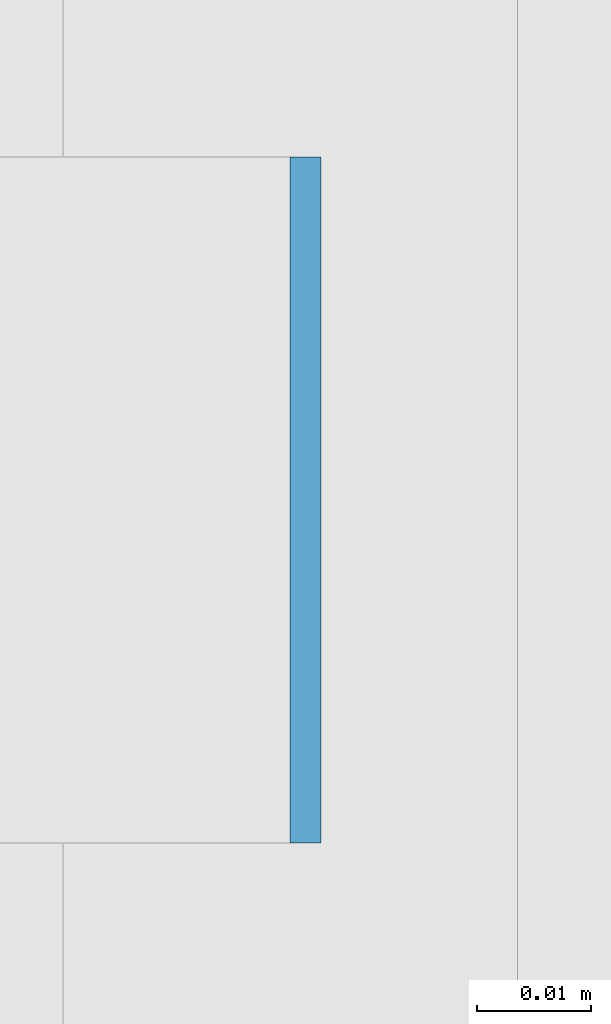
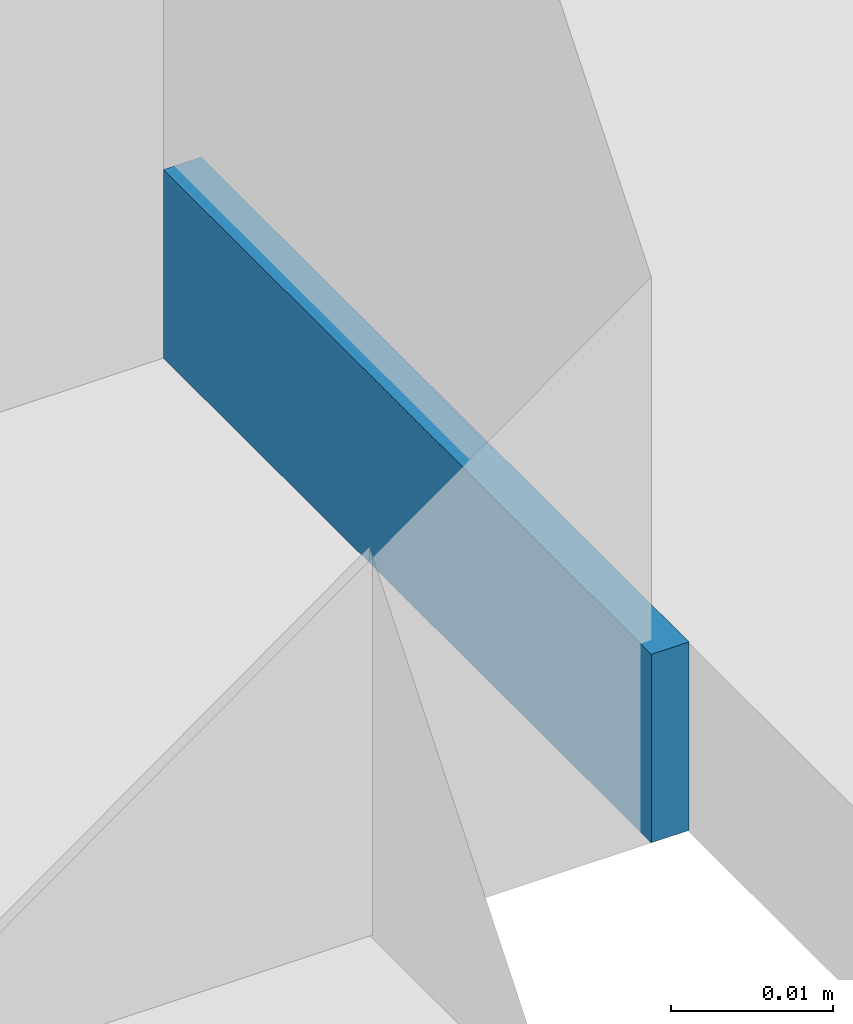
# One storey, part 264 of 646: 1 discrete accessory.
"""IFC4 building model written with IfcOpenShell, lengths in metres."""

import ifcopenshell
import ifcopenshell.guid

model = None  # the IFC model being written
_history = None  # IfcOwnerHistory: only IFC2X3 demands one
_inside = {}  # id of a spatial element -> (the spatial element, [elements in it])
_under = {}  # id of a project, library or spatial element -> (it, [spatial elements below it])
_declared = {}  # id of a project -> (the project, [libraries it declares])
_typed = {}  # id of a type object -> (the type object, [elements of that type])
_made_of = {}  # id of a material, layer set ... -> (it, [elements and type objects made of it])


def new_model(schema):
    """Start an empty IFC model of exactly this schema.

    Asked for "IFC4X3", IfcOpenShell would pick the latest addendum, in which some entities
    have other attributes; the version numbers below select the first issue.
    IFC2X3 requires an IfcOwnerHistory on every rooted entity: one is made here for all.
    """
    global model, _history
    if schema == "IFC4X3":
        model = ifcopenshell.file(schema_version=(4, 3, 0, 0))
    else:
        model = ifcopenshell.file(schema=schema)
    _inside.clear()
    _under.clear()
    _declared.clear()
    _typed.clear()
    _made_of.clear()
    _history = None
    if model.schema == "IFC2X3":
        org = make("IfcOrganization", Name="unknown")
        user = make(
            "IfcPersonAndOrganization",
            ThePerson=make("IfcPerson", FamilyName="unknown"),
            TheOrganization=org,
        )
        app = make(
            "IfcApplication",
            ApplicationDeveloper=org,
            Version="unknown",
            ApplicationFullName="unknown",
            ApplicationIdentifier="unknown",
        )
        _history = make(
            "IfcOwnerHistory",
            OwningUser=user,
            OwningApplication=app,
            ChangeAction="ADDED",
            CreationDate=0,
        )
    return model


def make(cls, **values):
    """One entity of the class cls with the attributes given. An attribute that is None is left unset."""
    return model.create_entity(
        cls, **{name: value for name, value in values.items() if value is not None}
    )


def rooted(cls, **values):
    """An entity with a GlobalId (a new one), such as an element, a storey or a relation."""
    return make(cls, GlobalId=ifcopenshell.guid.new(), OwnerHistory=_history, **values)


def si_unit(unit_type, name, prefix=None):
    """IfcSIUnit, for example si_unit("LENGTHUNIT", "METRE", prefix="MILLI")."""
    return make("IfcSIUnit", UnitType=unit_type, Prefix=prefix, Name=name)


def assignment(units):
    """IfcUnitAssignment: the units of a project."""
    return None if units is None else make("IfcUnitAssignment", Units=units)


def point(xyz):
    """IfcCartesianPoint."""
    return None if xyz is None else make("IfcCartesianPoint", Coordinates=xyz)


def direction(xyz):
    """IfcDirection."""
    return None if xyz is None else make("IfcDirection", DirectionRatios=xyz)


def frame(location, z_axis=None, x_axis=None):
    """IfcAxis2Placement3D, a coordinate frame: its origin and axes. An axis left out is left unset."""
    return make(
        "IfcAxis2Placement3D",
        Location=point(location),
        Axis=direction(z_axis),
        RefDirection=direction(x_axis),
    )


def frame_2d(location, x_axis=None):
    """IfcAxis2Placement2D, a coordinate frame in the plane: its origin and x axis."""
    return make(
        "IfcAxis2Placement2D", Location=point(location), RefDirection=direction(x_axis)
    )


def origin():
    """The frame at (0, 0, 0) with its axes left unset."""
    return frame((0.0, 0.0, 0.0))


def origin_2d():
    """The frame at (0, 0) in the plane with its x axis left unset."""
    return frame_2d((0.0, 0.0))


def place(relative_to, where):
    """IfcLocalPlacement: puts the frame where relative to a parent placement (None: the world)."""
    return make(
        "IfcLocalPlacement", PlacementRelTo=relative_to, RelativePlacement=where
    )


def context(
    kind, dimensions, precision=None, world=None, true_north=None, identifier=None
):
    """IfcGeometricRepresentationContext, for example the 3D "Model" context."""
    return make(
        "IfcGeometricRepresentationContext",
        ContextIdentifier=identifier,
        ContextType=kind,
        CoordinateSpaceDimension=dimensions,
        Precision=precision,
        WorldCoordinateSystem=world,
        TrueNorth=true_north,
    )


def subcontext(parent, identifier, kind, view, scale=None):
    """IfcGeometricRepresentationSubContext, for example "Body" below "Model"."""
    return make(
        "IfcGeometricRepresentationSubContext",
        ContextIdentifier=identifier,
        ContextType=kind,
        ParentContext=parent,
        TargetScale=scale,
        TargetView=view,
    )


def project(units=None, contexts=None):
    """IfcProject with its units and contexts."""
    return rooted(
        "IfcProject",
        Name="project",
        RepresentationContexts=contexts,
        UnitsInContext=assignment(units),
    )


def spatial(cls, under=None, at=None, **own):
    """A site, building, storey or space (cls), placed at a placement, below another one or the project."""
    s = rooted(cls, ObjectPlacement=at, **own)
    if under is not None:
        _under.setdefault(under.id(), (under, []))[1].append(s)
    return s


def profile(cls, at=None, kind="AREA", **sizes):
    """A parametric profile (cls). Its sizes go by their IFC names, for example OverallWidth=200.0."""
    return make(cls, ProfileType=kind, Position=at, **sizes)


def rectangle(**sizes):
    """IfcRectangleProfileDef."""
    return profile("IfcRectangleProfileDef", **sizes)


def extrude(swept, where, along, depth):
    """IfcExtrudedAreaSolid: the profile swept, set in the frame where, extruded along a direction by depth."""
    return make(
        "IfcExtrudedAreaSolid",
        SweptArea=swept,
        Position=where,
        ExtrudedDirection=direction(along),
        Depth=depth,
    )


def shape(context_of_items, identifier, shape_type, items):
    """IfcShapeRepresentation: the items that make up one representation, for example the "Body"."""
    return make(
        "IfcShapeRepresentation",
        ContextOfItems=context_of_items,
        RepresentationIdentifier=identifier,
        RepresentationType=shape_type,
        Items=items,
    )


def material(Name=None, Category=None):
    """IfcMaterial."""
    return make("IfcMaterial", Name=Name, Category=Category)


def made_of(thing, what):
    """Note that an element or type object is made of a material, layer set ...; save() writes the relation."""
    if what is not None:
        _made_of.setdefault(what.id(), (what, []))[1].append(thing)
    return thing


def type_object(cls, material=None, **own):
    """A type object (cls), such as IfcWallType, which elements share."""
    return made_of(rooted(cls, **own), material)


def element(
    cls,
    number,
    at=None,
    inside=None,
    cuts=None,
    type_object=None,
    material=None,
    context=None,
    identifier="Body",
    shape_type=None,
    held_by="IfcProductDefinitionShape",
    body=None,
    shapes=None,
    **own,
):
    """One element of the class cls, such as IfcWall. Its Tag is "e" and its number.

    at: its placement. inside: the storey or other place that contains it. cuts: it is an
    opening in that element (IfcRelVoidsElement). A single representation is given by context,
    identifier, shape_type and body (its items); several are given by shapes. held_by: the class
    of the entity that holds the representations. save() writes the other relations.
    """
    e = rooted(cls, Tag="e%d" % number, ObjectPlacement=at, **own)
    if body is not None:
        shapes = [shape(context, identifier, shape_type, body)]
    if shapes is not None:
        e.Representation = make(held_by, Representations=shapes)
    if inside is not None:
        _inside.setdefault(inside.id(), (inside, []))[1].append(e)
    if cuts is not None:
        rooted(
            "IfcRelVoidsElement", RelatingBuildingElement=cuts, RelatedOpeningElement=e
        )
    if type_object is not None:
        _typed.setdefault(type_object.id(), (type_object, []))[1].append(e)
    return made_of(e, material)


def aggregate(whole, parts):
    """IfcRelAggregates: a whole, such as a stair, and the parts it consists of."""
    return rooted("IfcRelAggregates", RelatingObject=whole, RelatedObjects=parts)


def save(model, path):
    """Write the relations noted so far, then the file.

    IfcRelAggregates (storeys below a building ...), IfcRelContainedInSpatialStructure (elements
    in a storey), IfcRelDefinesByType, IfcRelAssociatesMaterial and IfcRelDeclares: one each for
    every whole, place, type object, material and project.
    """
    for whole, parts in _under.values():
        aggregate(whole, parts)
    for where, things in _inside.values():
        rooted(
            "IfcRelContainedInSpatialStructure",
            RelatedElements=things,
            RelatingStructure=where,
        )
    for kind, things in _typed.values():
        rooted("IfcRelDefinesByType", RelatedObjects=things, RelatingType=kind)
    for what, things in _made_of.values():
        rooted("IfcRelAssociatesMaterial", RelatedObjects=things, RelatingMaterial=what)
    for by, libraries in _declared.values():
        rooted("IfcRelDeclares", RelatingContext=by, RelatedDefinitions=libraries)
    model.write(path)


model = new_model("IFC4")

# Units and contexts
model_context = context("Model", 3, precision=1e-05, world=origin(), true_north=direction((0.0, 1.0)))
body_context = subcontext(model_context, "Body", "Model", "MODEL_VIEW")
ifc_project = project(units=[si_unit("LENGTHUNIT", "METRE"), si_unit("AREAUNIT", "SQUARE_METRE"), si_unit("VOLUMEUNIT", "CUBIC_METRE"), si_unit("PLANEANGLEUNIT", "RADIAN"), si_unit("MASSUNIT", "GRAM", prefix="KILO")], contexts=[model_context])

# Site, building, storey
site_placement = place(None, origin())
site = spatial("IfcSite", under=ifc_project, at=site_placement, CompositionType="ELEMENT")
building_placement = place(site_placement, origin())
building = spatial("IfcBuilding", under=site, at=building_placement, Name="Silverbay Arena", CompositionType="ELEMENT")
storey_placement = place(building_placement, frame((0.0, 0.0, 33.5)))
storey = spatial("IfcBuildingStorey", under=building, at=storey_placement, Name="L05", CompositionType="ELEMENT", Elevation=33.5)

# Discrete accessory
ifc_material = material(Name="Steel S355", Category="steel")
discrete_accessory_type = type_object("IfcDiscreteAccessoryType", Name="Steel bracket plate", PredefinedType="BRACKET", material=ifc_material)
discrete_accessory_placement = place(storey_placement, frame((53.871337890625, 42.428466796875, 4.0), z_axis=(0.0, 0.0, 1.0), x_axis=(1.0, 0.0, 0.0)))
element("IfcDiscreteAccessory", 1, at=discrete_accessory_placement, inside=storey, type_object=discrete_accessory_type, Name="Curtain wall packing plate", PredefinedType="BRACKET", context=body_context, shape_type="SweptSolid", body=[
    extrude(rectangle(XDim=0.002685546875, YDim=0.06005859375, at=origin_2d()), origin(), (0.0, 0.0, 1.0), 0.01416015625),
])

save(model, "model.ifc")
